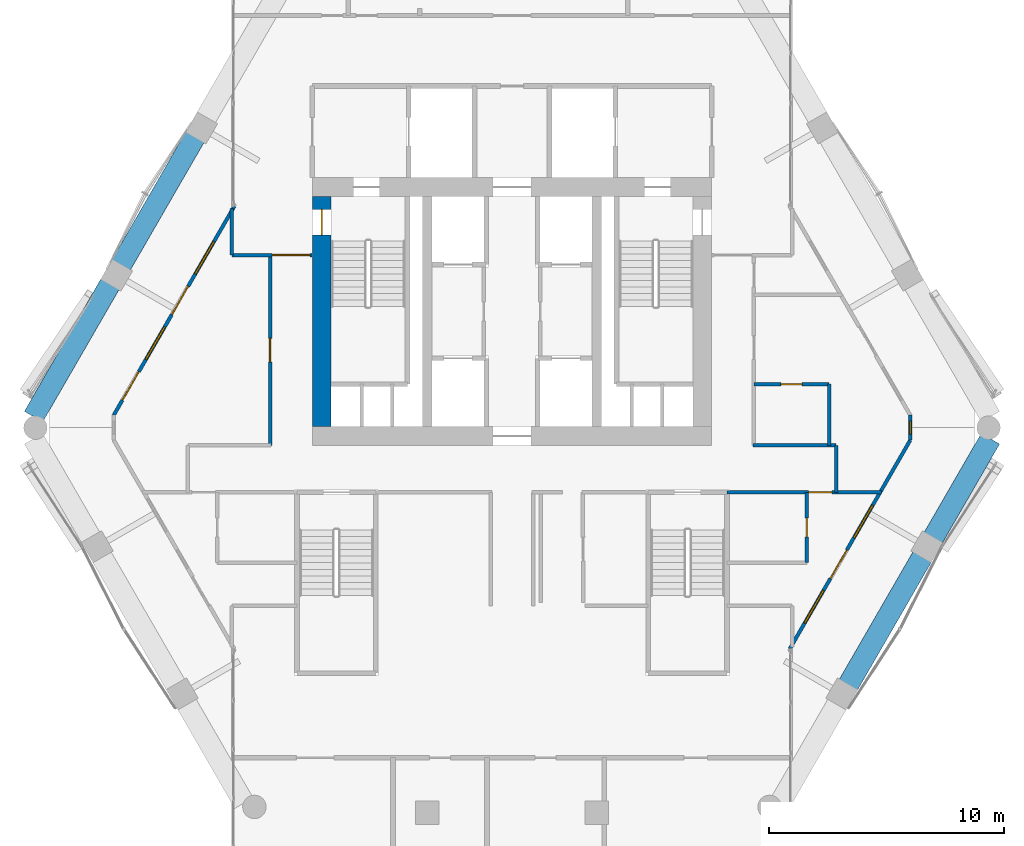
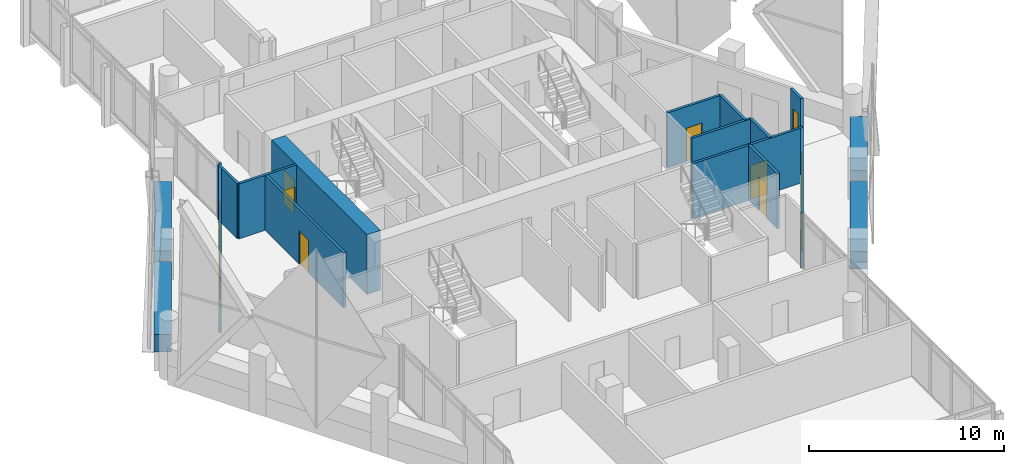
# One storey, part 30 of 37: 17 walls, 9 doors, 5 windows, 14 openings.
"""IFC4 building model written with IfcOpenShell, lengths in metres."""

from ifc_helpers import new_model, si_unit, direction, frame, frame_2d, origin, place, context, subcontext, project, spatial, rectangle, extrude, material, layer, layer_set, type_object, element, fill, save


model = new_model("IFC4")

# Units and contexts
model_context = context("Model", 3, precision=1e-05, world=origin(), true_north=direction((0.0, 1.0)))
body_context = subcontext(model_context, "Body", "Model", "MODEL_VIEW")
ifc_project = project(units=[si_unit("LENGTHUNIT", "METRE"), si_unit("AREAUNIT", "SQUARE_METRE"), si_unit("VOLUMEUNIT", "CUBIC_METRE"), si_unit("PLANEANGLEUNIT", "RADIAN"), si_unit("MASSUNIT", "GRAM", prefix="KILO")], contexts=[model_context])

# Site, building, storey
site_placement = place(None, origin())
site = spatial("IfcSite", under=ifc_project, at=site_placement, CompositionType="ELEMENT")
building_placement = place(site_placement, origin())
building = spatial("IfcBuilding", under=site, at=building_placement, Name="Ostrander Bayou Hotel Tower", CompositionType="ELEMENT")
storey_placement = place(building_placement, frame((0.0, 0.0, 198.25)))
storey = spatial("IfcBuildingStorey", under=building, at=storey_placement, Name="L49", CompositionType="ELEMENT", Elevation=198.25)

# Wall, opening, door
ifc_material_1 = material(Name="Concrete f'c 60 MPa", Category="concrete")
ifc_layer_1 = layer(ifc_material_1, 0.800048828125)
ifc_layer_set_1 = layer_set([ifc_layer_1], Name="CW8 core spine wall 800 mm f'c 60 MPa")
wall_type_1 = type_object("IfcWallType", Name="CW8 core spine wall 800 mm f'c 60 MPa", PredefinedType="SHEAR", material=ifc_layer_set_1)
wall_1_placement = place(storey_placement, frame((-8.10009765625, -0.89990234375, -0.300048828125), z_axis=(0.0, 0.0, 1.0), x_axis=(0.0, 1.0, 0.0)))
wall_1 = element("IfcWall", 1, at=wall_1_placement, inside=storey, type_object=wall_type_1, Name="CW8 L49 W", PredefinedType="SHEAR", context=body_context, shape_type="SweptSolid", body=[
    extrude(rectangle(XDim=9.7998046875, YDim=0.800048828125, at=frame_2d((4.89990234375, 0.0))), origin(), (0.0, 0.0, 1.0), 3.75),
])
opening_1_placement = place(wall_1_placement, frame((8.14990234375, 0.0, 0.0)))
opening_1 = element("IfcOpeningElement", 2, at=opening_1_placement, cuts=wall_1, Name="Opening T48-008", PredefinedType="OPENING", context=body_context, shape_type="SweptSolid", body=[
    extrude(rectangle(XDim=1.10009765625, YDim=2.10009765625, at=frame_2d((0.550048828125, 1.050048828125))), frame((0.0, 0.39990234375, 0.0), z_axis=(0.0, -1.0, 0.0), x_axis=(1.0, 0.0, 0.0)), (0.0, 0.0, 1.0), 0.800048828125),
])
ifc_material_2 = material(Name="Timber door leaf", Category="wood")
door_type_1 = type_object("IfcDoorType", Name="D5 stair door 1100 x 2100 mm, 90 minute", OperationType="SINGLE_SWING_LEFT", PredefinedType="DOOR", material=ifc_material_2)
door_1_placement = place(opening_1_placement, origin())
door_1 = element("IfcDoor", 3, at=door_1_placement, inside=storey, type_object=door_type_1, Name="dr:L49:008", OperationType="SINGLE_SWING_RIGHT", OverallHeight=2.10009765625, OverallWidth=1.10009765625, PredefinedType="DOOR", context=body_context, shape_type="SweptSolid", body=[
    extrude(rectangle(XDim=1.10009765625, YDim=2.10009765625, at=frame_2d((0.550048828125, 1.050048828125))), frame((0.0, 0.02490234375, 0.0), z_axis=(0.0, -1.0, 0.0), x_axis=(1.0, 0.0, 0.0)), (0.0, 0.0, 1.0), 0.050048828125),
])
fill(opening_1, door_1)

# Wall, openings, doors, windows
ifc_material_3 = material(Name="Aluminium framed insulated wall", Category="aluminium")
ifc_layer_2 = layer(ifc_material_3, 0.14990234375)
ifc_layer_set_2 = layer_set([ifc_layer_2], Name="GW1 glass-line wall 150 mm")
wall_type_2 = type_object("IfcWallType", Name="GW1 glass-line wall 150 mm", PredefinedType="SOLIDWALL", material=ifc_layer_set_2)
wall_2_placement = place(storey_placement, frame((-11.823974609375, 8.471923828125, 0.0), z_axis=(0.0, 0.0, 1.0), x_axis=(-0.499996992154, -0.866027140358, 0.0)))
wall_2 = element("IfcWall", 4, at=wall_2_placement, inside=storey, type_object=wall_type_2, Name="GW1 L49 NW 1", PredefinedType="SOLIDWALL", context=body_context, shape_type="SweptSolid", body=[
    extrude(rectangle(XDim=10.263671875, YDim=0.14990234375, at=frame_2d((5.1318359375, 0.0))), origin(), (0.0, 0.0, 1.0), 3.449951171875),
])
opening_2_placement = place(wall_2_placement, frame((1.72509765625, 0.0, 0.14990234375)))
opening_2 = element("IfcOpeningElement", 5, at=opening_2_placement, cuts=wall_2, Name="Opening W9", PredefinedType="OPENING", context=body_context, shape_type="SweptSolid", body=[
    extrude(rectangle(XDim=1.60009765625, YDim=2.199951171875, at=frame_2d((0.800048828125, 1.10009765625))), frame((0.0, 0.074951171875, 0.0), z_axis=(0.0, -1.0, 0.0), x_axis=(1.0, 0.0, 0.0)), (0.0, 0.0, 1.0), 0.14990234375),
])
opening_3_placement = place(wall_2_placement, frame((3.925048828125, 0.0, 0.0)))
opening_3 = element("IfcOpeningElement", 6, at=opening_3_placement, cuts=wall_2, Name="Opening T48-800", PredefinedType="OPENING", context=body_context, shape_type="SweptSolid", body=[
    extrude(rectangle(XDim=1.39990234375, YDim=2.39990234375, at=frame_2d((0.699951171875, 1.199951171875))), frame((0.0, 0.074951171875, 0.0), z_axis=(0.0, -1.0, 0.0), x_axis=(1.0, 0.0, 0.0)), (0.0, 0.0, 1.0), 0.14990234375),
])
opening_4_placement = place(wall_2_placement, frame((5.925048828125, 0.0, 0.14990234375)))
opening_4 = element("IfcOpeningElement", 7, at=opening_4_placement, cuts=wall_2, Name="Opening W9", PredefinedType="OPENING", context=body_context, shape_type="SweptSolid", body=[
    extrude(rectangle(XDim=1.60009765625, YDim=2.199951171875, at=frame_2d((0.800048828125, 1.10009765625))), frame((0.0, 0.074951171875, 0.0), z_axis=(0.0, -1.0, 0.0), x_axis=(1.0, 0.0, 0.0)), (0.0, 0.0, 1.0), 0.14990234375),
])
opening_5_placement = place(wall_2_placement, frame((8.125, 0.0, 0.0)))
opening_5 = element("IfcOpeningElement", 8, at=opening_5_placement, cuts=wall_2, Name="Opening T48-801", PredefinedType="OPENING", context=body_context, shape_type="SweptSolid", body=[
    extrude(rectangle(XDim=1.39990234375, YDim=2.39990234375, at=frame_2d((0.699951171875, 1.199951171875))), frame((0.0, 0.074951171875, 0.0), z_axis=(0.0, -1.0, 0.0), x_axis=(1.0, 0.0, 0.0)), (0.0, 0.0, 1.0), 0.14990234375),
])
ifc_material_4 = material(Name="Aluminium and clear glass", Category="aluminium")
door_type_2 = type_object("IfcDoorType", Name="SD3 sliding glass door 1400 mm, zone 3", OperationType="SLIDING_TO_LEFT", PredefinedType="DOOR", material=ifc_material_4)
door_2_placement = place(opening_3_placement, origin())
door_2 = element("IfcDoor", 9, at=door_2_placement, inside=storey, type_object=door_type_2, Name="SD3 L49 NW 3", OperationType="SLIDING_TO_LEFT", OverallHeight=2.39990234375, OverallWidth=1.39990234375, PredefinedType="DOOR", context=body_context, shape_type="SweptSolid", body=[
    extrude(rectangle(XDim=1.39990234375, YDim=2.39990234375, at=frame_2d((0.699951171875, 1.199951171875))), frame((0.0, 0.02490234375, 0.0), z_axis=(0.0, -1.0, 0.0), x_axis=(1.0, 0.0, 0.0)), (0.0, 0.0, 1.0), 0.050048828125),
])
fill(opening_3, door_2)
door_3_placement = place(opening_5_placement, origin())
door_3 = element("IfcDoor", 10, at=door_3_placement, inside=storey, type_object=door_type_2, Name="SD3 L49 NW 4", OperationType="SLIDING_TO_RIGHT", OverallHeight=2.39990234375, OverallWidth=1.39990234375, PredefinedType="DOOR", context=body_context, shape_type="SweptSolid", body=[
    extrude(rectangle(XDim=1.39990234375, YDim=2.39990234375, at=frame_2d((0.699951171875, 1.199951171875))), frame((0.0, 0.02490234375, 0.0), z_axis=(0.0, -1.0, 0.0), x_axis=(1.0, 0.0, 0.0)), (0.0, 0.0, 1.0), 0.050048828125),
])
fill(opening_5, door_3)
ifc_material_5 = material(Name="Aluminium and clear glass", Category="aluminium")
window_type_1 = type_object("IfcWindowType", Name="W9 fixed window 1600 mm, bar storeys, zone 3", PartitioningType="SINGLE_PANEL", PredefinedType="WINDOW", material=ifc_material_5)
window_1_placement = place(opening_2_placement, origin())
window_1 = element("IfcWindow", 11, at=window_1_placement, inside=storey, type_object=window_type_1, Name="W9 L49 NW 3", OverallHeight=2.199951171875, OverallWidth=1.60009765625, PartitioningType="SINGLE_PANEL", PredefinedType="WINDOW", context=body_context, shape_type="SweptSolid", body=[
    extrude(rectangle(XDim=1.60009765625, YDim=2.199951171875, at=frame_2d((0.800048828125, 1.10009765625))), frame((0.0, 0.030029296875, 0.0), z_axis=(0.0, -1.0, 0.0), x_axis=(1.0, 0.0, 0.0)), (0.0, 0.0, 1.0), 0.06005859375),
])
fill(opening_2, window_1)
window_2_placement = place(opening_4_placement, origin())
window_2 = element("IfcWindow", 12, at=window_2_placement, inside=storey, type_object=window_type_1, Name="W9 L49 NW 4", OverallHeight=2.199951171875, OverallWidth=1.60009765625, PartitioningType="SINGLE_PANEL", PredefinedType="WINDOW", context=body_context, shape_type="SweptSolid", body=[
    extrude(rectangle(XDim=1.60009765625, YDim=2.199951171875, at=frame_2d((0.800048828125, 1.10009765625))), frame((0.0, 0.030029296875, 0.0), z_axis=(0.0, -1.0, 0.0), x_axis=(1.0, 0.0, 0.0)), (0.0, 0.0, 1.0), 0.06005859375),
])
fill(opening_4, window_2)

# Wall, openings, door, windows
wall_3_placement = place(storey_placement, frame((11.823974609375, -10.370361328125, 0.0), z_axis=(0.0, 0.0, 1.0), x_axis=(0.499996992154, 0.866027140358, 0.0)))
wall_3 = element("IfcWall", 13, at=wall_3_placement, inside=storey, type_object=wall_type_2, Name="GW1 L49 SE 1", PredefinedType="SOLIDWALL", context=body_context, shape_type="SweptSolid", body=[
    extrude(rectangle(XDim=10.263671875, YDim=0.14990234375, at=frame_2d((5.1318359375, 0.0))), origin(), (0.0, 0.0, 1.0), 3.449951171875),
])
opening_6_placement = place(wall_3_placement, frame((1.26904296875, 0.0, 0.14990234375)))
opening_6 = element("IfcOpeningElement", 14, at=opening_6_placement, cuts=wall_3, Name="Opening W9", PredefinedType="OPENING", context=body_context, shape_type="SweptSolid", body=[
    extrude(rectangle(XDim=1.60009765625, YDim=2.199951171875, at=frame_2d((0.800048828125, 1.10009765625))), frame((0.0, 0.074951171875, 0.0), z_axis=(0.0, -1.0, 0.0), x_axis=(1.0, 0.0, 0.0)), (0.0, 0.0, 1.0), 0.14990234375),
])
opening_7_placement = place(wall_3_placement, frame((3.468994140625, 0.0, 0.0)))
opening_7 = element("IfcOpeningElement", 15, at=opening_7_placement, cuts=wall_3, Name="Opening T48-803", PredefinedType="OPENING", context=body_context, shape_type="SweptSolid", body=[
    extrude(rectangle(XDim=1.39990234375, YDim=2.39990234375, at=frame_2d((0.699951171875, 1.199951171875))), frame((0.0, 0.074951171875, 0.0), z_axis=(0.0, -1.0, 0.0), x_axis=(1.0, 0.0, 0.0)), (0.0, 0.0, 1.0), 0.14990234375),
])
opening_8_placement = place(wall_3_placement, frame((5.468994140625, 0.0, 0.14990234375)))
opening_8 = element("IfcOpeningElement", 16, at=opening_8_placement, cuts=wall_3, Name="Opening W9", PredefinedType="OPENING", context=body_context, shape_type="SweptSolid", body=[
    extrude(rectangle(XDim=1.60009765625, YDim=2.199951171875, at=frame_2d((0.800048828125, 1.10009765625))), frame((0.0, 0.074951171875, 0.0), z_axis=(0.0, -1.0, 0.0), x_axis=(1.0, 0.0, 0.0)), (0.0, 0.0, 1.0), 0.14990234375),
])
door_4_placement = place(opening_7_placement, origin())
door_4 = element("IfcDoor", 17, at=door_4_placement, inside=storey, type_object=door_type_2, Name="SD3 L49 SE 2", OperationType="SLIDING_TO_RIGHT", OverallHeight=2.39990234375, OverallWidth=1.39990234375, PredefinedType="DOOR", context=body_context, shape_type="SweptSolid", body=[
    extrude(rectangle(XDim=1.39990234375, YDim=2.39990234375, at=frame_2d((0.699951171875, 1.199951171875))), frame((0.0, 0.02490234375, 0.0), z_axis=(0.0, -1.0, 0.0), x_axis=(1.0, 0.0, 0.0)), (0.0, 0.0, 1.0), 0.050048828125),
])
fill(opening_7, door_4)
window_3_placement = place(opening_6_placement, origin())
window_3 = element("IfcWindow", 18, at=window_3_placement, inside=storey, type_object=window_type_1, Name="W9 L49 SE 2", OverallHeight=2.199951171875, OverallWidth=1.60009765625, PartitioningType="SINGLE_PANEL", PredefinedType="WINDOW", context=body_context, shape_type="SweptSolid", body=[
    extrude(rectangle(XDim=1.60009765625, YDim=2.199951171875, at=frame_2d((0.800048828125, 1.10009765625))), frame((0.0, 0.030029296875, 0.0), z_axis=(0.0, -1.0, 0.0), x_axis=(1.0, 0.0, 0.0)), (0.0, 0.0, 1.0), 0.06005859375),
])
fill(opening_6, window_3)
window_4_placement = place(opening_8_placement, origin())
window_4 = element("IfcWindow", 19, at=window_4_placement, inside=storey, type_object=window_type_1, Name="W9 L49 SE 3", OverallHeight=2.199951171875, OverallWidth=1.60009765625, PartitioningType="SINGLE_PANEL", PredefinedType="WINDOW", context=body_context, shape_type="SweptSolid", body=[
    extrude(rectangle(XDim=1.60009765625, YDim=2.199951171875, at=frame_2d((0.800048828125, 1.10009765625))), frame((0.0, 0.030029296875, 0.0), z_axis=(0.0, -1.0, 0.0), x_axis=(1.0, 0.0, 0.0)), (0.0, 0.0, 1.0), 0.06005859375),
])
fill(opening_8, window_4)

# Wall, opening, window
wall_4_placement = place(storey_placement, frame((16.955810546875, -1.481689453125, 0.0), z_axis=(0.0, 0.0, 1.0), x_axis=(0.0, 1.0, 0.0)))
wall_4 = element("IfcWall", 20, at=wall_4_placement, inside=storey, type_object=wall_type_2, Name="GW1 L49 corner 5", PredefinedType="SOLIDWALL", context=body_context, shape_type="SweptSolid", body=[
    extrude(rectangle(XDim=1.06494140625, YDim=0.14990234375, at=frame_2d((0.532470703125, 0.0))), origin(), (0.0, 0.0, 1.0), 3.449951171875),
])
opening_9_placement = place(wall_4_placement, frame((0.257568359375, 0.0, 0.14990234375)))
opening_9 = element("IfcOpeningElement", 21, at=opening_9_placement, cuts=wall_4, Name="Opening W19", PredefinedType="OPENING", context=body_context, shape_type="SweptSolid", body=[
    extrude(rectangle(XDim=0.550048828125, YDim=2.199951171875, at=frame_2d((0.27490234375, 1.10009765625))), frame((0.0, 0.074951171875, 0.0), z_axis=(0.0, -1.0, 0.0), x_axis=(1.0, 0.0, 0.0)), (0.0, 0.0, 1.0), 0.14990234375),
])
ifc_material_6 = material(Name="Aluminium and clear glass", Category="aluminium")
window_type_2 = type_object("IfcWindowType", Name="W19 corner window 550 mm", PartitioningType="SINGLE_PANEL", PredefinedType="WINDOW", material=ifc_material_6)
window_5_placement = place(opening_9_placement, origin())
window_5 = element("IfcWindow", 22, at=window_5_placement, inside=storey, type_object=window_type_2, Name="W19 L49 corner 5", OverallHeight=2.199951171875, OverallWidth=0.550048828125, PartitioningType="SINGLE_PANEL", PredefinedType="WINDOW", context=body_context, shape_type="SweptSolid", body=[
    extrude(rectangle(XDim=0.550048828125, YDim=2.199951171875, at=frame_2d((0.27490234375, 1.10009765625))), frame((0.0, 0.030029296875, 0.0), z_axis=(0.0, -1.0, 0.0), x_axis=(1.0, 0.0, 0.0)), (0.0, 0.0, 1.0), 0.06005859375),
])
fill(opening_9, window_5)

# Walls
ifc_material_7 = material(Name="Concrete f'c 40 MPa", Category="concrete")
ifc_layer_3 = layer(ifc_material_7, 0.89990234375)
ifc_layer_set_3 = layer_set([ifc_layer_3], Name="PA1 stone-faced parapet 900 mm")
wall_type_3 = type_object("IfcWallType", Name="PA1 stone-faced parapet 900 mm", PredefinedType="PARAPET", material=ifc_layer_set_3)
wall_5_placement = place(storey_placement, frame((-13.49560546875, 11.4267578125, 0.0), z_axis=(0.0, 0.0, 1.0), x_axis=(-0.499984268907, -0.866034485945, 0.0)))
element("IfcWall", 23, at=wall_5_placement, inside=storey, type_object=wall_type_3, Name="PA1 L49 NW-2", PredefinedType="PARAPET", context=body_context, shape_type="SweptSolid", body=[
    extrude(rectangle(XDim=6.296142578125, YDim=0.89990234375, at=frame_2d((3.14794921875, 0.0))), origin(), (0.0, 0.0, 1.0), 1.10009765625),
])
wall_6_placement = place(storey_placement, frame((-17.113525390625, 5.159912109375, 0.0), z_axis=(0.0, 0.0, 1.0), x_axis=(-0.500022104698, -0.866012641255, 0.0)))
element("IfcWall", 24, at=wall_6_placement, inside=storey, type_object=wall_type_3, Name="PA1 L49 NW-3", PredefinedType="PARAPET", context=body_context, shape_type="SweptSolid", body=[
    extrude(rectangle(XDim=6.511962890625, YDim=0.89990234375, at=frame_2d((3.255859375, 0.0))), origin(), (0.0, 0.0, 1.0), 1.10009765625),
])
ifc_material_8 = material(Name="Limestone masonry", Category="masonry")
ifc_layer_4 = layer(ifc_material_8, 0.89990234375)
ifc_layer_set_4 = layer_set([ifc_layer_4], Name="PA2 limestone parapet 900 mm")
wall_type_4 = type_object("IfcWallType", Name="PA2 limestone parapet 900 mm", PredefinedType="PARAPET", material=ifc_layer_set_4)
wall_7_placement = place(storey_placement, frame((14.3173828125, -11.9013671875, 0.0), z_axis=(0.0, 0.0, 1.0), x_axis=(0.500013351051, 0.866017695414, 0.0)))
element("IfcWall", 25, at=wall_7_placement, inside=storey, type_object=wall_type_4, Name="PA2 L49 SE-2", PredefinedType="PARAPET", context=body_context, shape_type="SweptSolid", body=[
    extrude(rectangle(XDim=6.296142578125, YDim=0.89990234375, at=frame_2d((3.14794921875, 0.0))), origin(), (0.0, 0.0, 1.0), 1.10009765625),
])
wall_8_placement = place(storey_placement, frame((17.935546875, -5.634521484375, 0.0), z_axis=(0.0, 0.0, 1.0), x_axis=(0.500033586455, 0.866006011767, 0.0)))
element("IfcWall", 26, at=wall_8_placement, inside=storey, type_object=wall_type_4, Name="PA2 L49 SE-3", PredefinedType="PARAPET", context=body_context, shape_type="SweptSolid", body=[
    extrude(rectangle(XDim=4.867919921875, YDim=0.89990234375, at=frame_2d((2.43408203125, 0.0))), origin(), (0.0, 0.0, 1.0), 1.10009765625),
])

# Wall, opening, door
ifc_material_9 = material(Name="Gypsum board partition", Category="finish")
ifc_layer_5 = layer(ifc_material_9, 0.14990234375)
ifc_layer_set_5 = layer_set([ifc_layer_5], Name="PT8 service band wall 150 mm, 1 hour")
wall_type_5 = type_object("IfcWallType", Name="PT8 service band wall 150 mm, 1 hour", PredefinedType="PARTITIONING", material=ifc_layer_set_5)
wall_9_placement = place(storey_placement, frame((9.159912109375, -3.699951171875, 0.0), z_axis=(0.0, 0.0, 1.0), x_axis=(1.0, 0.0, 0.0)))
wall_9 = element("IfcWall", 27, at=wall_9_placement, inside=storey, type_object=wall_type_5, Name="gw:L49:011", PredefinedType="PARTITIONING", context=body_context, shape_type="SweptSolid", body=[
    extrude(rectangle(XDim=6.567138671875, YDim=0.14990234375, at=frame_2d((3.28369140625, 0.0))), origin(), (0.0, 0.0, 1.0), 3.449951171875),
])
opening_10_placement = place(wall_9_placement, frame((3.465087890625, 0.0, 0.0)))
opening_10 = element("IfcOpeningElement", 28, at=opening_10_placement, cuts=wall_9, Name="Opening T48-403", PredefinedType="OPENING", context=body_context, shape_type="SweptSolid", body=[
    extrude(rectangle(XDim=1.0, YDim=2.10009765625, at=frame_2d((0.5, 1.050048828125))), frame((0.0, 0.074951171875, 0.0), z_axis=(0.0, -1.0, 0.0), x_axis=(1.0, 0.0, 0.0)), (0.0, 0.0, 1.0), 0.14990234375),
])
ifc_material_10 = material(Name="Timber door leaf", Category="wood")
door_type_3 = type_object("IfcDoorType", Name="D1 guest room door 1000 x 2100 mm, 30 minute", OperationType="SINGLE_SWING_LEFT", PredefinedType="DOOR", material=ifc_material_10)
door_5_placement = place(opening_10_placement, origin())
door_5 = element("IfcDoor", 29, at=door_5_placement, inside=storey, type_object=door_type_3, Name="dr:L49:403", OperationType="SINGLE_SWING_RIGHT", OverallHeight=2.10009765625, OverallWidth=1.0, PredefinedType="DOOR", context=body_context, shape_type="SweptSolid", body=[
    extrude(rectangle(XDim=1.0, YDim=2.10009765625, at=frame_2d((0.5, 1.050048828125))), frame((0.0, 0.02490234375, 0.0), z_axis=(0.0, -1.0, 0.0), x_axis=(1.0, 0.0, 0.0)), (0.0, 0.0, 1.0), 0.050048828125),
])
fill(opening_10, door_5)

# Wall
wall_10_placement = place(storey_placement, frame((10.260009765625, -1.699951171875, 0.0), z_axis=(0.0, 0.0, 1.0), x_axis=(1.0, 0.0, 0.0)))
element("IfcWall", 30, at=wall_10_placement, inside=storey, type_object=wall_type_5, Name="gw:L49:013", PredefinedType="PARTITIONING", context=body_context, shape_type="SweptSolid", body=[
    extrude(rectangle(XDim=3.5400390625, YDim=0.14990234375, at=frame_2d((1.77001953125, 0.0))), origin(), (0.0, 0.0, 1.0), 3.449951171875),
])

# Wall, opening, door
wall_11_placement = place(storey_placement, frame((10.300048828125, 0.89990234375, 0.0), z_axis=(0.0, 0.0, 1.0), x_axis=(1.0, 0.0, 0.0)))
wall_11 = element("IfcWall", 31, at=wall_11_placement, inside=storey, type_object=wall_type_5, Name="gw:L49:014", PredefinedType="PARTITIONING", context=body_context, shape_type="SweptSolid", body=[
    extrude(rectangle(XDim=3.199951171875, YDim=0.14990234375, at=frame_2d((1.60009765625, 0.0))), origin(), (0.0, 0.0, 1.0), 3.449951171875),
])
opening_11_placement = place(wall_11_placement, frame((1.14990234375, 0.0, 0.0)))
opening_11 = element("IfcOpeningElement", 32, at=opening_11_placement, cuts=wall_11, Name="Opening T48-407", PredefinedType="OPENING", context=body_context, shape_type="SweptSolid", body=[
    extrude(rectangle(XDim=0.89990234375, YDim=2.10009765625, at=frame_2d((0.449951171875, 1.050048828125))), frame((0.0, 0.074951171875, 0.0), z_axis=(0.0, -1.0, 0.0), x_axis=(1.0, 0.0, 0.0)), (0.0, 0.0, 1.0), 0.14990234375),
])
ifc_material_11 = material(Name="Timber door leaf", Category="wood")
door_type_4 = type_object("IfcDoorType", Name="D8 room door 900 x 2100 mm", OperationType="SINGLE_SWING_LEFT", PredefinedType="DOOR", material=ifc_material_11)
door_6_placement = place(opening_11_placement, origin())
door_6 = element("IfcDoor", 33, at=door_6_placement, inside=storey, type_object=door_type_4, Name="dr:L49:407", OperationType="SINGLE_SWING_LEFT", OverallHeight=2.10009765625, OverallWidth=0.89990234375, PredefinedType="DOOR", context=body_context, shape_type="SweptSolid", body=[
    extrude(rectangle(XDim=0.89990234375, YDim=2.10009765625, at=frame_2d((0.449951171875, 1.050048828125))), frame((0.0, 0.02490234375, 0.0), z_axis=(0.0, -1.0, 0.0), x_axis=(1.0, 0.0, 0.0)), (0.0, 0.0, 1.0), 0.050048828125),
])
fill(opening_11, door_6)

wall_12_placement = place(storey_placement, frame((-11.929931640625, 6.39990234375, 0.0), z_axis=(0.0, 0.0, 1.0), x_axis=(1.0, 0.0, 0.0)))
wall_12 = element("IfcWall", 34, at=wall_12_placement, inside=storey, type_object=wall_type_5, Name="gw:L49:016", PredefinedType="PARTITIONING", context=body_context, shape_type="SweptSolid", body=[
    extrude(rectangle(XDim=3.419921875, YDim=0.14990234375, at=frame_2d((1.7099609375, 0.0))), origin(), (0.0, 0.0, 1.0), 3.449951171875),
])
opening_12_placement = place(wall_12_placement, frame((1.719970703125, 0.0, 0.0)))
opening_12 = element("IfcOpeningElement", 35, at=opening_12_placement, cuts=wall_12, Name="Opening T48-1211", PredefinedType="OPENING", context=body_context, shape_type="SweptSolid", body=[
    extrude(rectangle(XDim=1.60009765625, YDim=2.10009765625, at=frame_2d((0.800048828125, 1.050048828125))), frame((0.0, 0.074951171875, 0.0), z_axis=(0.0, -1.0, 0.0), x_axis=(1.0, 0.0, 0.0)), (0.0, 0.0, 1.0), 0.14990234375),
])
ifc_material_12 = material(Name="Timber door leaf", Category="wood")
door_type_5 = type_object("IfcDoorType", Name="D13 double door 1600 x 2100 mm, 1 hour", OperationType="SINGLE_SWING_LEFT", PredefinedType="DOOR", material=ifc_material_12)
door_7_placement = place(opening_12_placement, origin())
door_7 = element("IfcDoor", 36, at=door_7_placement, inside=storey, type_object=door_type_5, Name="dr:L49:1211", OperationType="DOUBLE_DOOR_SINGLE_SWING", OverallHeight=2.10009765625, OverallWidth=1.60009765625, PredefinedType="DOOR", context=body_context, shape_type="SweptSolid", body=[
    extrude(rectangle(XDim=1.60009765625, YDim=2.10009765625, at=frame_2d((0.800048828125, 1.050048828125))), frame((0.0, 0.02490234375, 0.0), z_axis=(0.0, -1.0, 0.0), x_axis=(1.0, 0.0, 0.0)), (0.0, 0.0, 1.0), 0.050048828125),
])
fill(opening_12, door_7)

# Walls
wall_13_placement = place(storey_placement, frame((13.800048828125, -3.699951171875, 0.0), z_axis=(0.0, 0.0, 1.0), x_axis=(0.0, 1.0, 0.0)))
element("IfcWall", 37, at=wall_13_placement, inside=storey, type_object=wall_type_5, Name="gw:L49:018", PredefinedType="PARTITIONING", context=body_context, shape_type="SweptSolid", body=[
    extrude(rectangle(XDim=2.0, YDim=0.14990234375, at=frame_2d((1.0, 0.0))), origin(), (0.0, 0.0, 1.0), 3.449951171875),
])
wall_14_placement = place(storey_placement, frame((13.5, -1.699951171875, 0.0), z_axis=(0.0, 0.0, 1.0), x_axis=(0.0, 1.0, 0.0)))
element("IfcWall", 38, at=wall_14_placement, inside=storey, type_object=wall_type_5, Name="gw:L49:019", PredefinedType="PARTITIONING", context=body_context, shape_type="SweptSolid", body=[
    extrude(rectangle(XDim=2.599853515625, YDim=0.14990234375, at=frame_2d((1.2998046875, 0.0))), origin(), (0.0, 0.0, 1.0), 3.449951171875),
])

# Wall, opening, door
wall_15_placement = place(storey_placement, frame((12.550048828125, -6.699951171875, 0.0), z_axis=(0.0, 0.0, 1.0), x_axis=(0.0, 1.0, 0.0)))
wall_15 = element("IfcWall", 39, at=wall_15_placement, inside=storey, type_object=wall_type_5, Name="gw:L49:020", PredefinedType="PARTITIONING", context=body_context, shape_type="SweptSolid", body=[
    extrude(rectangle(XDim=3.0, YDim=0.14990234375, at=frame_2d((1.5, 0.0))), origin(), (0.0, 0.0, 1.0), 3.449951171875),
])
opening_13_placement = place(wall_15_placement, frame((1.10009765625, 0.0, 0.0)))
opening_13 = element("IfcOpeningElement", 40, at=opening_13_placement, cuts=wall_15, Name="Opening T48-404", PredefinedType="OPENING", context=body_context, shape_type="SweptSolid", body=[
    extrude(rectangle(XDim=0.800048828125, YDim=2.10009765625, at=frame_2d((0.39990234375, 1.050048828125))), frame((0.0, 0.074951171875, 0.0), z_axis=(0.0, -1.0, 0.0), x_axis=(1.0, 0.0, 0.0)), (0.0, 0.0, 1.0), 0.14990234375),
])
ifc_material_13 = material(Name="Timber door leaf", Category="wood")
door_type_6 = type_object("IfcDoorType", Name="D2 bathroom door 800 x 2100 mm", OperationType="SINGLE_SWING_LEFT", PredefinedType="DOOR", material=ifc_material_13)
door_8_placement = place(opening_13_placement, origin())
door_8 = element("IfcDoor", 41, at=door_8_placement, inside=storey, type_object=door_type_6, Name="dr:L49:404", OperationType="SINGLE_SWING_RIGHT", OverallHeight=2.10009765625, OverallWidth=0.800048828125, PredefinedType="DOOR", context=body_context, shape_type="SweptSolid", body=[
    extrude(rectangle(XDim=0.800048828125, YDim=2.10009765625, at=frame_2d((0.39990234375, 1.050048828125))), frame((0.0, 0.02490234375, 0.0), z_axis=(0.0, -1.0, 0.0), x_axis=(1.0, 0.0, 0.0)), (0.0, 0.0, 1.0), 0.050048828125),
])
fill(opening_13, door_8)

wall_16_placement = place(storey_placement, frame((-10.300048828125, -1.699951171875, 0.0), z_axis=(0.0, 0.0, 1.0), x_axis=(0.0, 1.0, 0.0)))
wall_16 = element("IfcWall", 42, at=wall_16_placement, inside=storey, type_object=wall_type_5, Name="gw:L49:026", PredefinedType="PARTITIONING", context=body_context, shape_type="SweptSolid", body=[
    extrude(rectangle(XDim=8.099853515625, YDim=0.14990234375, at=frame_2d((4.0498046875, 0.0))), origin(), (0.0, 0.0, 1.0), 3.449951171875),
])
opening_14_placement = place(wall_16_placement, frame((3.550048828125, 0.0, 0.0)))
opening_14 = element("IfcOpeningElement", 43, at=opening_14_placement, cuts=wall_16, Name="Opening T48-405", PredefinedType="OPENING", context=body_context, shape_type="SweptSolid", body=[
    extrude(rectangle(XDim=1.0, YDim=2.10009765625, at=frame_2d((0.5, 1.050048828125))), frame((0.0, 0.074951171875, 0.0), z_axis=(0.0, -1.0, 0.0), x_axis=(1.0, 0.0, 0.0)), (0.0, 0.0, 1.0), 0.14990234375),
])
ifc_material_14 = material(Name="Timber door leaf", Category="wood")
door_type_7 = type_object("IfcDoorType", Name="D15 room door 1000 x 2100 mm", OperationType="SINGLE_SWING_LEFT", PredefinedType="DOOR", material=ifc_material_14)
door_9_placement = place(opening_14_placement, origin())
door_9 = element("IfcDoor", 44, at=door_9_placement, inside=storey, type_object=door_type_7, Name="dr:L49:405", OperationType="SINGLE_SWING_LEFT", OverallHeight=2.10009765625, OverallWidth=1.0, PredefinedType="DOOR", context=body_context, shape_type="SweptSolid", body=[
    extrude(rectangle(XDim=1.0, YDim=2.10009765625, at=frame_2d((0.5, 1.050048828125))), frame((0.0, 0.02490234375, 0.0), z_axis=(0.0, -1.0, 0.0), x_axis=(1.0, 0.0, 0.0)), (0.0, 0.0, 1.0), 0.050048828125),
])
fill(opening_14, door_9)

# Wall
wall_17_placement = place(storey_placement, frame((-11.929931640625, 6.39990234375, 0.0), z_axis=(0.0, 0.0, 1.0), x_axis=(0.0, 1.0, 0.0)))
element("IfcWall", 45, at=wall_17_placement, inside=storey, type_object=wall_type_5, Name="gw:L49:028", PredefinedType="PARTITIONING", context=body_context, shape_type="SweptSolid", body=[
    extrude(rectangle(XDim=1.97802734375, YDim=0.14990234375, at=frame_2d((0.989013671875, 0.0))), origin(), (0.0, 0.0, 1.0), 3.449951171875),
])

save(model, "model.ifc")
